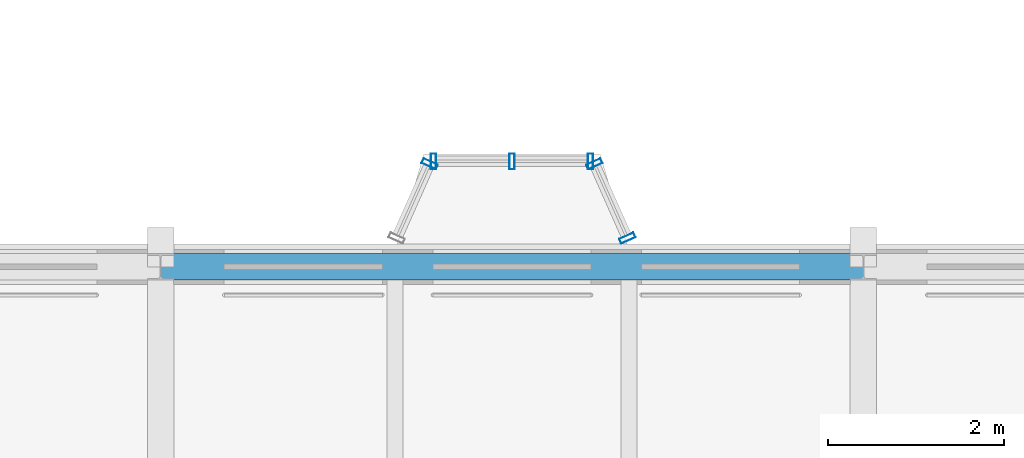
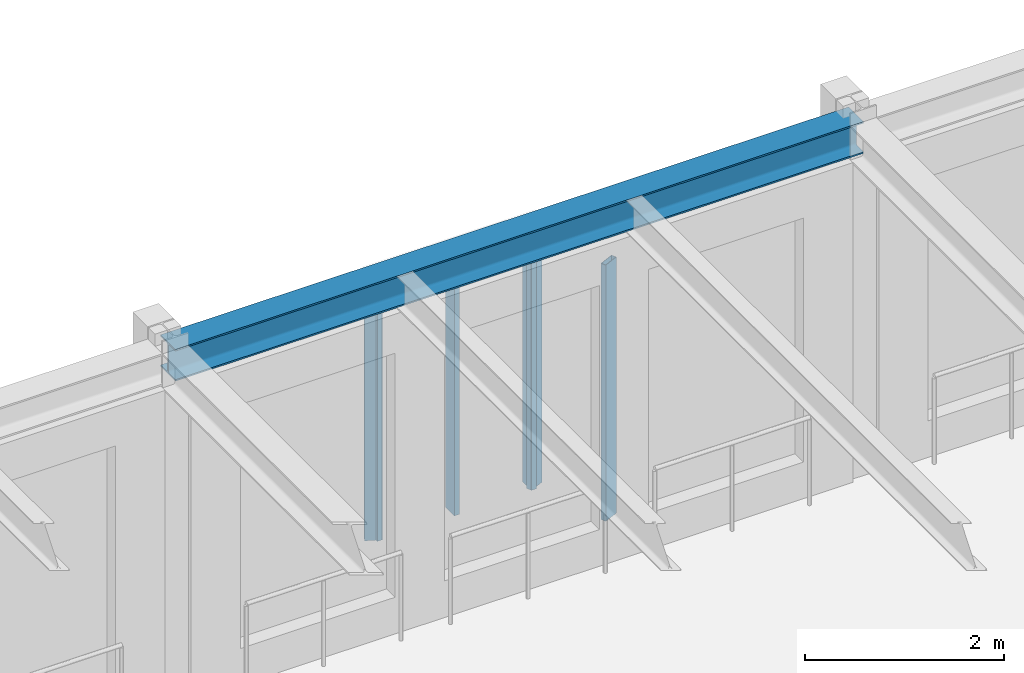
# One storey, part 54 of 153: 6 members, 1 beam, 3 elements without a shape of their own.
"""IFC4 building model written with IfcOpenShell, lengths in metres."""

from ifc_helpers import new_model, si_unit, direction, frame, origin, origin_2d, place, context, subcontext, project, spatial, hollow_rectangle, i_section, extrude, material, material_profile, profile_set, type_object, element, aggregate, save


model = new_model("IFC4")

# Units and contexts
model_context = context("Model", 3, precision=1e-05, world=origin(), true_north=direction((0.0, 1.0)))
body_context = subcontext(model_context, "Body", "Model", "MODEL_VIEW")
ifc_project = project(units=[si_unit("LENGTHUNIT", "METRE"), si_unit("AREAUNIT", "SQUARE_METRE"), si_unit("VOLUMEUNIT", "CUBIC_METRE"), si_unit("PLANEANGLEUNIT", "RADIAN"), si_unit("MASSUNIT", "GRAM", prefix="KILO")], contexts=[model_context])

# Site, building, storey
site_placement = place(None, origin())
site = spatial("IfcSite", under=ifc_project, at=site_placement, CompositionType="ELEMENT")
building_placement = place(site_placement, origin())
building = spatial("IfcBuilding", under=site, at=building_placement, Name="Kallimachos Central Library", CompositionType="ELEMENT")
storey_placement = place(building_placement, frame((0.0, 0.0, 5.39990234375)))
storey = spatial("IfcBuildingStorey", under=building, at=storey_placement, Name="L01", CompositionType="ELEMENT", Elevation=5.39990234375)

# Curtain wall, member
ifc_material_1 = material(Name="Laminated glass in anodised aluminium", Category="aluminium")
curtain_wall_type = type_object("IfcCurtainWallType", Name="Foyer curtain wall", PredefinedType="NOTDEFINED", material=ifc_material_1)
curtain_wall_1_placement = place(storey_placement, origin())
curtain_wall_1 = element("IfcCurtainWall", 1, at=curtain_wall_1_placement, inside=storey, type_object=curtain_wall_type, Name="Tribune bay return west", PredefinedType="NOTDEFINED")
ifc_material_2 = material(Name="Anodised aluminium", Category="aluminium")
ifc_material_profile_1 = material_profile(ifc_material_2, hollow_rectangle(XDim=0.06005859375, YDim=0.179931640625, WallThickness=0.00390625, at=origin_2d()), Name="ALU MULLION 60x180")
ifc_profile_set_1 = profile_set([ifc_material_profile_1], Name="Anodised aluminium")
member_type = type_object("IfcMemberType", Name="ALU MULLION 60x180 mullion", PredefinedType="MULLION", material=ifc_profile_set_1)
member_1_placement = place(storey_placement, frame((17.062744140625, 115.172607421875, 0.150146484375), z_axis=(0.0, 0.0, 1.0), x_axis=(0.40613846606, 0.913811548617, 0.0)))
member_1 = element("IfcMember", 2, at=member_1_placement, type_object=member_type, Name="CW mullion 2", PredefinedType="MULLION", context=body_context, shape_type="SweptSolid", body=[
    extrude(hollow_rectangle(XDim=0.06005859375, YDim=0.179931640625, WallThickness=0.00390625, at=origin_2d()), origin(), (0.0, 0.0, 1.0), 3.14990234375),
])
aggregate(curtain_wall_1, [member_1])

# Curtain wall, members
curtain_wall_2_placement = place(storey_placement, origin())
curtain_wall_2 = element("IfcCurtainWall", 3, at=curtain_wall_2_placement, inside=storey, type_object=curtain_wall_type, Name="Tribune bay front", PredefinedType="NOTDEFINED")
member_2_placement = place(storey_placement, frame((17.10498046875, 115.199951171875, 0.150146484375), z_axis=(0.0, 0.0, 1.0), x_axis=(1.0, 0.0, 0.0)))
member_2 = element("IfcMember", 4, at=member_2_placement, type_object=member_type, Name="CW mullion 1", PredefinedType="MULLION", context=body_context, shape_type="SweptSolid", body=[
    extrude(hollow_rectangle(XDim=0.06005859375, YDim=0.179931640625, WallThickness=0.00390625, at=origin_2d()), origin(), (0.0, 0.0, 1.0), 3.14990234375),
])
member_3_placement = place(storey_placement, frame((18.0, 115.199951171875, 0.150146484375), z_axis=(0.0, 0.0, 1.0), x_axis=(1.0, 0.0, 0.0)))
member_3 = element("IfcMember", 5, at=member_3_placement, type_object=member_type, Name="CW mullion 2", PredefinedType="MULLION", context=body_context, shape_type="SweptSolid", body=[
    extrude(hollow_rectangle(XDim=0.06005859375, YDim=0.179931640625, WallThickness=0.00390625, at=origin_2d()), origin(), (0.0, 0.0, 1.0), 3.14990234375),
])
member_4_placement = place(storey_placement, frame((18.89501953125, 115.199951171875, 0.150146484375), z_axis=(0.0, 0.0, 1.0), x_axis=(1.0, 0.0, 0.0)))
member_4 = element("IfcMember", 6, at=member_4_placement, type_object=member_type, Name="CW mullion 3", PredefinedType="MULLION", context=body_context, shape_type="SweptSolid", body=[
    extrude(hollow_rectangle(XDim=0.06005859375, YDim=0.179931640625, WallThickness=0.00390625, at=origin_2d()), origin(), (0.0, 0.0, 1.0), 3.14990234375),
])
aggregate(curtain_wall_2, [member_2, member_3, member_4])

curtain_wall_3_placement = place(storey_placement, origin())
curtain_wall_3 = element("IfcCurtainWall", 7, at=curtain_wall_3_placement, inside=storey, type_object=curtain_wall_type, Name="Tribune bay return east", PredefinedType="NOTDEFINED")
member_5_placement = place(storey_placement, frame((18.937255859375, 115.172607421875, 0.150146484375), z_axis=(0.0, 0.0, 1.0), x_axis=(0.40613846606, -0.913811548617, 0.0)))
member_5 = element("IfcMember", 8, at=member_5_placement, type_object=member_type, Name="CW mullion 1", PredefinedType="MULLION", context=body_context, shape_type="SweptSolid", body=[
    extrude(hollow_rectangle(XDim=0.06005859375, YDim=0.179931640625, WallThickness=0.00390625, at=origin_2d()), origin(), (0.0, 0.0, 1.0), 3.14990234375),
])
member_6_placement = place(storey_placement, frame((19.312744140625, 114.327392578125, 0.150146484375), z_axis=(0.0, 0.0, 1.0), x_axis=(0.40613846606, -0.913811548617, 0.0)))
member_6 = element("IfcMember", 9, at=member_6_placement, type_object=member_type, Name="CW mullion 2", PredefinedType="MULLION", context=body_context, shape_type="SweptSolid", body=[
    extrude(hollow_rectangle(XDim=0.06005859375, YDim=0.179931640625, WallThickness=0.00390625, at=origin_2d()), origin(), (0.0, 0.0, 1.0), 3.14990234375),
])
aggregate(curtain_wall_3, [member_5, member_6])

# Beam
ifc_material_3 = material(Name="Steel S355J2", Category="steel")
ifc_material_profile_2 = material_profile(ifc_material_3, i_section(OverallWidth=0.300048828125, OverallDepth=0.389892578125, WebThickness=0.010986328125, FlangeThickness=0.01904296875, FilletRadius=0.027099609375, at=origin_2d()), Name="HEA 400")
ifc_profile_set_2 = profile_set([ifc_material_profile_2], Name="Steel S355J2")
beam_type = type_object("IfcBeamType", Name="HEA 400 beam", PredefinedType="BEAM", material=ifc_profile_set_2)
beam_placement = place(storey_placement, frame((14.0, 114.0, 4.155029296875), z_axis=(1.0, 0.0, 0.0), x_axis=(0.0, 1.0, 0.0)))
element("IfcBeam", 10, at=beam_placement, inside=storey, type_object=beam_type, Name="V2-BEM-L01-029", PredefinedType="BEAM", context=body_context, shape_type="SweptSolid", body=[
    extrude(i_section(OverallWidth=0.300048828125, OverallDepth=0.389892578125, WebThickness=0.010986328125, FlangeThickness=0.01904296875, FilletRadius=0.027099609375, at=origin_2d()), origin(), (0.0, 0.0, 1.0), 8.0),
])

save(model, "model.ifc")
